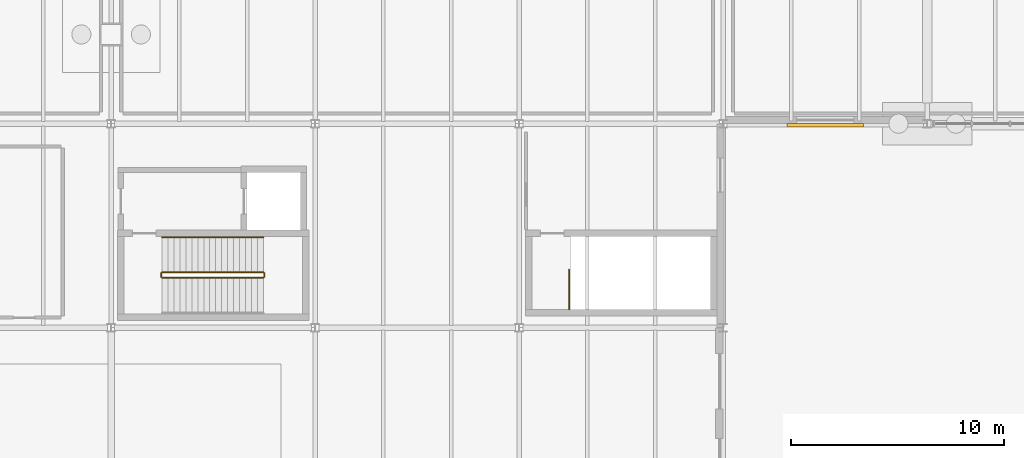
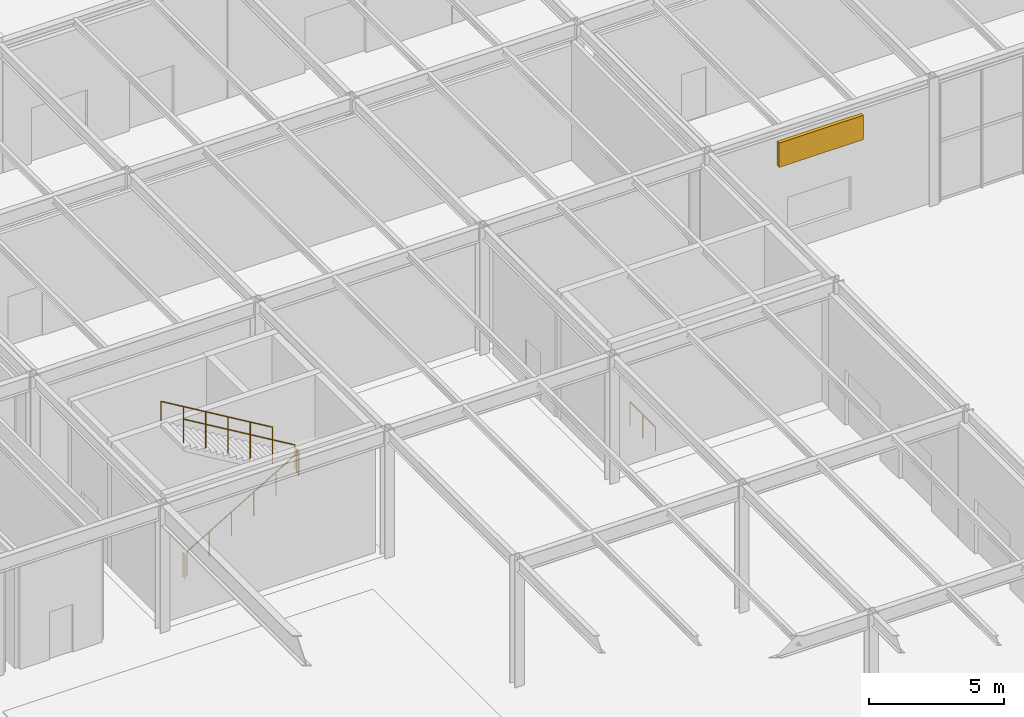
# One storey, part 140 of 142: 6 railings, 1 shading device.
"""IFC4 building model written with IfcOpenShell, lengths in metres."""

from ifc_helpers import new_model, si_unit, direction, frame, origin, origin_2d, place, context, subcontext, project, spatial, rectangle, circle, extrude, material, type_object, element, save


model = new_model("IFC4")

# Units and contexts
model_context = context("Model", 3, precision=1e-05, world=origin(), true_north=direction((0.0, 1.0)))
body_context = subcontext(model_context, "Body", "Model", "MODEL_VIEW")
ifc_project = project(units=[si_unit("LENGTHUNIT", "METRE"), si_unit("AREAUNIT", "SQUARE_METRE"), si_unit("VOLUMEUNIT", "CUBIC_METRE"), si_unit("PLANEANGLEUNIT", "RADIAN"), si_unit("MASSUNIT", "GRAM", prefix="KILO")], contexts=[model_context])

# Site, building, storey
site_placement = place(None, origin())
site = spatial("IfcSite", under=ifc_project, at=site_placement, CompositionType="ELEMENT")
building_placement = place(site_placement, origin())
building = spatial("IfcBuilding", under=site, at=building_placement, Name="Coralgate Yard Interchange", CompositionType="ELEMENT")
storey_placement = place(building_placement, origin())
storey = spatial("IfcBuildingStorey", under=building, at=storey_placement, Name="L00", CompositionType="ELEMENT", Elevation=0.0)

# Railings
ifc_material_1 = material(Name="Grade 316 marine stainless steel and toughened glass balustrade", Category="steel")
railing_type_1 = type_object("IfcRailingType", Name="RLG-GD1100", PredefinedType="BALUSTRADE", material=ifc_material_1)
railing_1_placement = place(storey_placement, frame((146.35009765625, 68.06005859375, 0.0)))
element("IfcRailing", 1, at=railing_1_placement, inside=storey, type_object=railing_type_1, Name="L00 ST-11 top well guard 1", PredefinedType="BALUSTRADE", context=body_context, shape_type="SweptSolid", body=[
    extrude(circle(Radius=0.02392578125, at=origin_2d()), frame((0.0, 0.0, 1.076171875), z_axis=(0.0, 1.0, 0.0), x_axis=(-1.0, 0.0, 0.0)), (0.0, 0.0, 1.0), 1.869873046875),
    extrude(circle(Radius=0.02099609375, at=origin_2d()), origin(), (0.0, 0.0, 1.0), 1.051513671875),
    extrude(circle(Radius=0.02099609375, at=origin_2d()), frame((0.0, 0.93505859375, 0.0)), (0.0, 0.0, 1.0), 1.051513671875),
    extrude(circle(Radius=0.02099609375, at=origin_2d()), frame((0.0, 1.869873046875, 0.0)), (0.0, 0.0, 1.0), 1.051513671875),
])
railing_2_placement = place(storey_placement, frame((127.199951171875, 69.550048828125, 0.166748046875)))
element("IfcRailing", 2, at=railing_2_placement, inside=storey, type_object=railing_type_1, Name="L00 ST-07 stair guard 1", PredefinedType="BALUSTRADE", context=body_context, shape_type="SweptSolid", body=[
    extrude(circle(Radius=0.02392578125, at=origin_2d()), frame((0.0, 0.0, 1.076171875), z_axis=(0.859299802514, 0.0, 0.511472237174), x_axis=(0.0, 1.0, 0.0)), (0.0, 0.0, 1.0), 5.539306640625),
    extrude(circle(Radius=0.02099609375, at=origin_2d()), origin(), (0.0, 0.0, 1.0), 1.051513671875),
    extrude(circle(Radius=0.02099609375, at=origin_2d()), frame((0.951904296875, 0.0, 0.566650390625)), (0.0, 0.0, 1.0), 1.051513671875),
    extrude(circle(Radius=0.02099609375, at=origin_2d()), frame((1.904052734375, 0.0, 1.13330078125)), (0.0, 0.0, 1.0), 1.051513671875),
    extrude(circle(Radius=0.02099609375, at=origin_2d()), frame((2.85595703125, 0.0, 1.699951171875)), (0.0, 0.0, 1.0), 1.051513671875),
    extrude(circle(Radius=0.02099609375, at=origin_2d()), frame((3.80810546875, 0.0, 2.2666015625)), (0.0, 0.0, 1.0), 1.051513671875),
    extrude(circle(Radius=0.02099609375, at=origin_2d()), frame((4.760009765625, 0.0, 2.833251953125)), (0.0, 0.0, 1.0), 1.051513671875),
])
railing_3_placement = place(storey_placement, frame((132.010009765625, 69.60009765625, 3.0)))
element("IfcRailing", 3, at=railing_3_placement, inside=storey, type_object=railing_type_1, Name="L00 ST-07 stair guard 2", PredefinedType="BALUSTRADE", context=body_context, shape_type="SweptSolid", body=[
    extrude(circle(Radius=0.02392578125, at=origin_2d()), frame((0.0, 0.0, 1.076171875), z_axis=(0.0, 1.0, 0.0), x_axis=(-1.0, 0.0, 0.0)), (0.0, 0.0, 1.0), 0.159912109375),
    extrude(circle(Radius=0.02099609375, at=origin_2d()), origin(), (0.0, 0.0, 1.0), 1.051513671875),
    extrude(circle(Radius=0.02099609375, at=origin_2d()), frame((0.0, 0.159912109375, 0.0)), (0.0, 0.0, 1.0), 1.051513671875),
])
railing_4_placement = place(storey_placement, frame((131.9599609375, 69.81005859375, 3.166748046875)))
element("IfcRailing", 4, at=railing_4_placement, inside=storey, type_object=railing_type_1, Name="L00 ST-07 stair guard 3", PredefinedType="BALUSTRADE", context=body_context, shape_type="SweptSolid", body=[
    extrude(circle(Radius=0.02392578125, at=origin_2d()), frame((0.0, 0.0, 1.076171875), z_axis=(-0.859299802514, 0.0, 0.511472237174), x_axis=(0.0, -1.0, 0.0)), (0.0, 0.0, 1.0), 5.539306640625),
    extrude(circle(Radius=0.02099609375, at=origin_2d()), origin(), (0.0, 0.0, 1.0), 1.051513671875),
    extrude(circle(Radius=0.02099609375, at=origin_2d()), frame((-0.951904296875, 0.0, 0.566650390625)), (0.0, 0.0, 1.0), 1.051513671875),
    extrude(circle(Radius=0.02099609375, at=origin_2d()), frame((-1.904052734375, 0.0, 1.13330078125)), (0.0, 0.0, 1.0), 1.051513671875),
    extrude(circle(Radius=0.02099609375, at=origin_2d()), frame((-2.85595703125, 0.0, 1.699951171875)), (0.0, 0.0, 1.0), 1.051513671875),
    extrude(circle(Radius=0.02099609375, at=origin_2d()), frame((-3.80810546875, 0.0, 2.2666015625)), (0.0, 0.0, 1.0), 1.051513671875),
    extrude(circle(Radius=0.02099609375, at=origin_2d()), frame((-4.760009765625, 0.0, 2.833251953125)), (0.0, 0.0, 1.0), 1.051513671875),
])
railing_5_placement = place(storey_placement, frame((127.14990234375, 69.60009765625, 0.0)))
element("IfcRailing", 5, at=railing_5_placement, inside=storey, type_object=railing_type_1, Name="L00 ST-07 stair guard 4", PredefinedType="BALUSTRADE", context=body_context, shape_type="SweptSolid", body=[
    extrude(circle(Radius=0.02392578125, at=origin_2d()), frame((0.0, 0.0, 1.076171875), z_axis=(0.0, 1.0, 0.0), x_axis=(-1.0, 0.0, 0.0)), (0.0, 0.0, 1.0), 0.159912109375),
    extrude(circle(Radius=0.02099609375, at=origin_2d()), origin(), (0.0, 0.0, 1.0), 1.051513671875),
    extrude(circle(Radius=0.02099609375, at=origin_2d()), frame((0.0, 0.159912109375, 0.0)), (0.0, 0.0, 1.0), 1.051513671875),
])
ifc_material_2 = material(Name="Grade 316 marine stainless steel", Category="steel")
railing_type_2 = type_object("IfcRailingType", Name="RLG-HR900", PredefinedType="HANDRAIL", material=ifc_material_2)
railing_6_placement = place(storey_placement, frame((131.9599609375, 71.4599609375, 3.166748046875)))
element("IfcRailing", 6, at=railing_6_placement, inside=storey, type_object=railing_type_2, Name="L00 ST-07 stair handrail 2", PredefinedType="HANDRAIL", context=body_context, shape_type="SweptSolid", body=[
    extrude(circle(Radius=0.02392578125, at=origin_2d()), frame((0.0, 0.0, 0.8759765625), z_axis=(-0.859299802514, 0.0, 0.511472237174), x_axis=(0.0, -1.0, 0.0)), (0.0, 0.0, 1.0), 5.539306640625),
    extrude(circle(Radius=0.02099609375, at=origin_2d()), origin(), (0.0, 0.0, 1.0), 0.851318359375),
    extrude(circle(Radius=0.02099609375, at=origin_2d()), frame((-0.951904296875, 0.0, 0.566650390625)), (0.0, 0.0, 1.0), 0.851318359375),
    extrude(circle(Radius=0.02099609375, at=origin_2d()), frame((-1.904052734375, 0.0, 1.13330078125)), (0.0, 0.0, 1.0), 0.851318359375),
    extrude(circle(Radius=0.02099609375, at=origin_2d()), frame((-2.85595703125, 0.0, 1.699951171875)), (0.0, 0.0, 1.0), 0.851318359375),
    extrude(circle(Radius=0.02099609375, at=origin_2d()), frame((-3.80810546875, 0.0, 2.2666015625)), (0.0, 0.0, 1.0), 0.851318359375),
    extrude(circle(Radius=0.02099609375, at=origin_2d()), frame((-4.760009765625, 0.0, 2.833251953125)), (0.0, 0.0, 1.0), 0.851318359375),
])

# Shading device
ifc_material_3 = material(Name="Marine anodised extruded aluminium stormproof louvre bank", Category="aluminium")
shading_device_type = type_object("IfcShadingDeviceType", Name="SHD-LV1", PredefinedType="JALOUSIE", material=ifc_material_3)
shading_device_placement = place(storey_placement, frame((158.39990234375, 76.72509765625, 4.0), z_axis=(0.0, 0.0, 1.0), x_axis=(-1.0, 0.0, 0.0)))
element("IfcShadingDevice", 7, at=shading_device_placement, inside=storey, type_object=shading_device_type, Name="L00 stormproof aluminium ventilation louvre S-16-8", PredefinedType="JALOUSIE", context=body_context, shape_type="SweptSolid", body=[
    extrude(rectangle(XDim=3.60009765625, YDim=0.14990234375, at=origin_2d()), origin(), (0.0, 0.0, 1.0), 1.10009765625),
])

save(model, "model.ifc")
